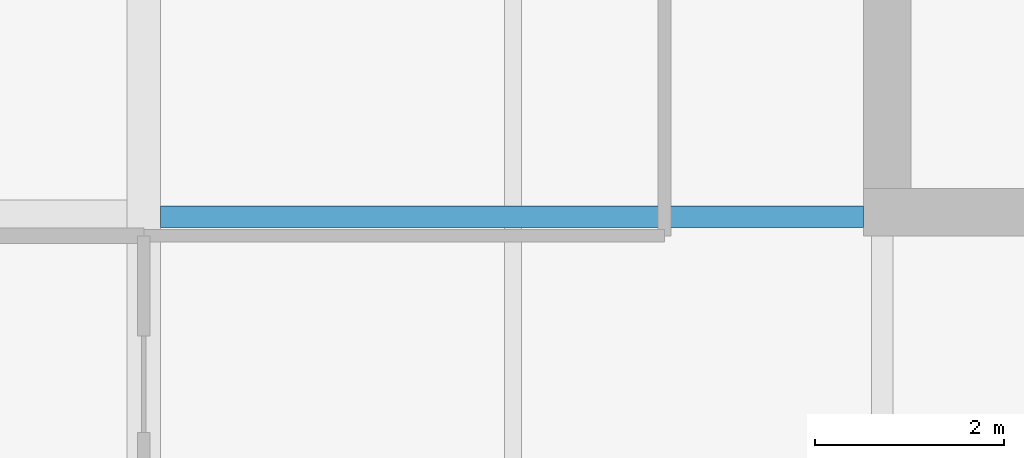
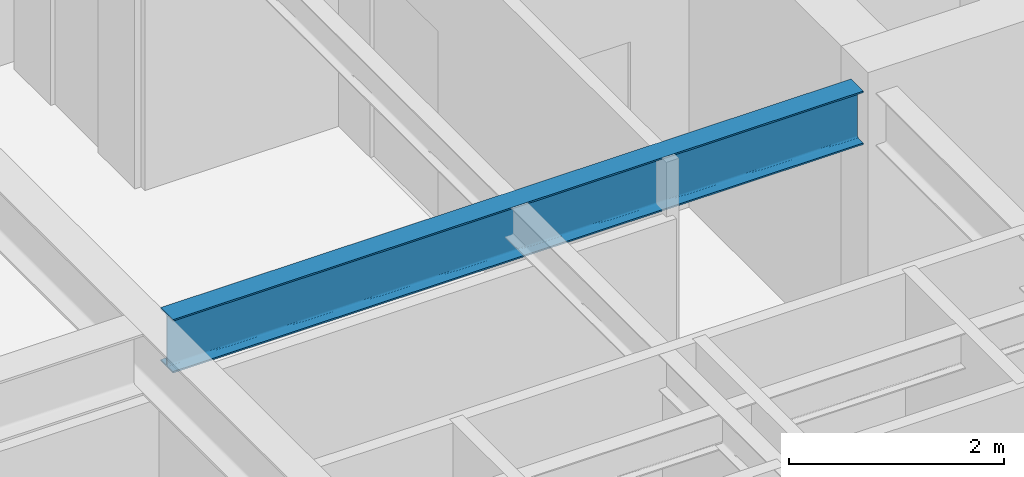
# One storey, part 8 of 32: 1 beam.
"""IFC4 building model written with IfcOpenShell, lengths in metres."""

import ifcopenshell
import ifcopenshell.guid

model = None  # the IFC model being written
_history = None  # IfcOwnerHistory: only IFC2X3 demands one
_inside = {}  # id of a spatial element -> (the spatial element, [elements in it])
_under = {}  # id of a project, library or spatial element -> (it, [spatial elements below it])
_declared = {}  # id of a project -> (the project, [libraries it declares])
_typed = {}  # id of a type object -> (the type object, [elements of that type])
_made_of = {}  # id of a material, layer set ... -> (it, [elements and type objects made of it])


def new_model(schema):
    """Start an empty IFC model of exactly this schema.

    Asked for "IFC4X3", IfcOpenShell would pick the latest addendum, in which some entities
    have other attributes; the version numbers below select the first issue.
    IFC2X3 requires an IfcOwnerHistory on every rooted entity: one is made here for all.
    """
    global model, _history
    if schema == "IFC4X3":
        model = ifcopenshell.file(schema_version=(4, 3, 0, 0))
    else:
        model = ifcopenshell.file(schema=schema)
    _inside.clear()
    _under.clear()
    _declared.clear()
    _typed.clear()
    _made_of.clear()
    _history = None
    if model.schema == "IFC2X3":
        org = make("IfcOrganization", Name="unknown")
        user = make(
            "IfcPersonAndOrganization",
            ThePerson=make("IfcPerson", FamilyName="unknown"),
            TheOrganization=org,
        )
        app = make(
            "IfcApplication",
            ApplicationDeveloper=org,
            Version="unknown",
            ApplicationFullName="unknown",
            ApplicationIdentifier="unknown",
        )
        _history = make(
            "IfcOwnerHistory",
            OwningUser=user,
            OwningApplication=app,
            ChangeAction="ADDED",
            CreationDate=0,
        )
    return model


def make(cls, **values):
    """One entity of the class cls with the attributes given. An attribute that is None is left unset."""
    return model.create_entity(
        cls, **{name: value for name, value in values.items() if value is not None}
    )


def rooted(cls, **values):
    """An entity with a GlobalId (a new one), such as an element, a storey or a relation."""
    return make(cls, GlobalId=ifcopenshell.guid.new(), OwnerHistory=_history, **values)


def si_unit(unit_type, name, prefix=None):
    """IfcSIUnit, for example si_unit("LENGTHUNIT", "METRE", prefix="MILLI")."""
    return make("IfcSIUnit", UnitType=unit_type, Prefix=prefix, Name=name)


def assignment(units):
    """IfcUnitAssignment: the units of a project."""
    return None if units is None else make("IfcUnitAssignment", Units=units)


def point(xyz):
    """IfcCartesianPoint."""
    return None if xyz is None else make("IfcCartesianPoint", Coordinates=xyz)


def direction(xyz):
    """IfcDirection."""
    return None if xyz is None else make("IfcDirection", DirectionRatios=xyz)


def frame(location, z_axis=None, x_axis=None):
    """IfcAxis2Placement3D, a coordinate frame: its origin and axes. An axis left out is left unset."""
    return make(
        "IfcAxis2Placement3D",
        Location=point(location),
        Axis=direction(z_axis),
        RefDirection=direction(x_axis),
    )


def frame_2d(location, x_axis=None):
    """IfcAxis2Placement2D, a coordinate frame in the plane: its origin and x axis."""
    return make(
        "IfcAxis2Placement2D", Location=point(location), RefDirection=direction(x_axis)
    )


def origin():
    """The frame at (0, 0, 0) with its axes left unset."""
    return frame((0.0, 0.0, 0.0))


def origin_2d():
    """The frame at (0, 0) in the plane with its x axis left unset."""
    return frame_2d((0.0, 0.0))


def place(relative_to, where):
    """IfcLocalPlacement: puts the frame where relative to a parent placement (None: the world)."""
    return make(
        "IfcLocalPlacement", PlacementRelTo=relative_to, RelativePlacement=where
    )


def context(
    kind, dimensions, precision=None, world=None, true_north=None, identifier=None
):
    """IfcGeometricRepresentationContext, for example the 3D "Model" context."""
    return make(
        "IfcGeometricRepresentationContext",
        ContextIdentifier=identifier,
        ContextType=kind,
        CoordinateSpaceDimension=dimensions,
        Precision=precision,
        WorldCoordinateSystem=world,
        TrueNorth=true_north,
    )


def subcontext(parent, identifier, kind, view, scale=None):
    """IfcGeometricRepresentationSubContext, for example "Body" below "Model"."""
    return make(
        "IfcGeometricRepresentationSubContext",
        ContextIdentifier=identifier,
        ContextType=kind,
        ParentContext=parent,
        TargetScale=scale,
        TargetView=view,
    )


def project(units=None, contexts=None):
    """IfcProject with its units and contexts."""
    return rooted(
        "IfcProject",
        Name="project",
        RepresentationContexts=contexts,
        UnitsInContext=assignment(units),
    )


def spatial(cls, under=None, at=None, **own):
    """A site, building, storey or space (cls), placed at a placement, below another one or the project."""
    s = rooted(cls, ObjectPlacement=at, **own)
    if under is not None:
        _under.setdefault(under.id(), (under, []))[1].append(s)
    return s


def profile(cls, at=None, kind="AREA", **sizes):
    """A parametric profile (cls). Its sizes go by their IFC names, for example OverallWidth=200.0."""
    return make(cls, ProfileType=kind, Position=at, **sizes)


def i_section(**sizes):
    """IfcIShapeProfileDef."""
    return profile("IfcIShapeProfileDef", **sizes)


def extrude(swept, where, along, depth):
    """IfcExtrudedAreaSolid: the profile swept, set in the frame where, extruded along a direction by depth."""
    return make(
        "IfcExtrudedAreaSolid",
        SweptArea=swept,
        Position=where,
        ExtrudedDirection=direction(along),
        Depth=depth,
    )


def shape(context_of_items, identifier, shape_type, items):
    """IfcShapeRepresentation: the items that make up one representation, for example the "Body"."""
    return make(
        "IfcShapeRepresentation",
        ContextOfItems=context_of_items,
        RepresentationIdentifier=identifier,
        RepresentationType=shape_type,
        Items=items,
    )


def material(Name=None, Category=None):
    """IfcMaterial."""
    return make("IfcMaterial", Name=Name, Category=Category)


def material_profile(
    of_material, cross_section, Name=None, Category=None, Priority=None
):
    """IfcMaterialProfile: a cross section and its material."""
    return make(
        "IfcMaterialProfile",
        Name=Name,
        Material=of_material,
        Profile=cross_section,
        Priority=Priority,
        Category=Category,
    )


def profile_set(profiles, Name=None, composite=None):
    """IfcMaterialProfileSet."""
    return make(
        "IfcMaterialProfileSet",
        Name=Name,
        MaterialProfiles=profiles,
        CompositeProfile=composite,
    )


def made_of(thing, what):
    """Note that an element or type object is made of a material, layer set ...; save() writes the relation."""
    if what is not None:
        _made_of.setdefault(what.id(), (what, []))[1].append(thing)
    return thing


def type_object(cls, material=None, **own):
    """A type object (cls), such as IfcWallType, which elements share."""
    return made_of(rooted(cls, **own), material)


def element(
    cls,
    number,
    at=None,
    inside=None,
    cuts=None,
    type_object=None,
    material=None,
    context=None,
    identifier="Body",
    shape_type=None,
    held_by="IfcProductDefinitionShape",
    body=None,
    shapes=None,
    **own,
):
    """One element of the class cls, such as IfcWall. Its Tag is "e" and its number.

    at: its placement. inside: the storey or other place that contains it. cuts: it is an
    opening in that element (IfcRelVoidsElement). A single representation is given by context,
    identifier, shape_type and body (its items); several are given by shapes. held_by: the class
    of the entity that holds the representations. save() writes the other relations.
    """
    e = rooted(cls, Tag="e%d" % number, ObjectPlacement=at, **own)
    if body is not None:
        shapes = [shape(context, identifier, shape_type, body)]
    if shapes is not None:
        e.Representation = make(held_by, Representations=shapes)
    if inside is not None:
        _inside.setdefault(inside.id(), (inside, []))[1].append(e)
    if cuts is not None:
        rooted(
            "IfcRelVoidsElement", RelatingBuildingElement=cuts, RelatedOpeningElement=e
        )
    if type_object is not None:
        _typed.setdefault(type_object.id(), (type_object, []))[1].append(e)
    return made_of(e, material)


def aggregate(whole, parts):
    """IfcRelAggregates: a whole, such as a stair, and the parts it consists of."""
    return rooted("IfcRelAggregates", RelatingObject=whole, RelatedObjects=parts)


def save(model, path):
    """Write the relations noted so far, then the file.

    IfcRelAggregates (storeys below a building ...), IfcRelContainedInSpatialStructure (elements
    in a storey), IfcRelDefinesByType, IfcRelAssociatesMaterial and IfcRelDeclares: one each for
    every whole, place, type object, material and project.
    """
    for whole, parts in _under.values():
        aggregate(whole, parts)
    for where, things in _inside.values():
        rooted(
            "IfcRelContainedInSpatialStructure",
            RelatedElements=things,
            RelatingStructure=where,
        )
    for kind, things in _typed.values():
        rooted("IfcRelDefinesByType", RelatedObjects=things, RelatingType=kind)
    for what, things in _made_of.values():
        rooted("IfcRelAssociatesMaterial", RelatedObjects=things, RelatingMaterial=what)
    for by, libraries in _declared.values():
        rooted("IfcRelDeclares", RelatingContext=by, RelatedDefinitions=libraries)
    model.write(path)


model = new_model("IFC4")

# Units and contexts
model_context = context("Model", 3, precision=1e-05, world=origin(), true_north=direction((0.0, 1.0)))
body_context = subcontext(model_context, "Body", "Model", "MODEL_VIEW")
ifc_project = project(units=[si_unit("LENGTHUNIT", "METRE"), si_unit("AREAUNIT", "SQUARE_METRE"), si_unit("VOLUMEUNIT", "CUBIC_METRE"), si_unit("PLANEANGLEUNIT", "RADIAN"), si_unit("MASSUNIT", "GRAM", prefix="KILO")], contexts=[model_context])

# Site, building, storey
site_placement = place(None, origin())
site = spatial("IfcSite", under=ifc_project, at=site_placement, CompositionType="ELEMENT")
building_placement = place(site_placement, origin())
building = spatial("IfcBuilding", under=site, at=building_placement, Name="Drelvath Grand Hotel", CompositionType="ELEMENT")
storey_placement = place(building_placement, frame((0.0, 0.0, 193.0)))
storey = spatial("IfcBuildingStorey", under=building, at=storey_placement, Name="L50", CompositionType="ELEMENT", Elevation=193.0)

# Beam
ifc_material = material(Name="Steel ASTM A992 Gr 50", Category="steel")
ifc_material_profile = material_profile(ifc_material, i_section(OverallWidth=0.228271484375, OverallDepth=0.607666015625, WebThickness=0.01123046875, FlangeThickness=0.017333984375, FilletRadius=0.02001953125, at=origin_2d()), Name="W24X76")
ifc_profile_set = profile_set([ifc_material_profile], Name="Steel ASTM A992 Gr 50")
beam_type = type_object("IfcBeamType", Name="Primary Floor Girder W24X76", PredefinedType="BEAM", material=ifc_profile_set)
beam_placement = place(storey_placement, frame((-16.022705078125, 18.60009765625, 2.986083984375), z_axis=(1.0, 0.0, 0.0), x_axis=(0.0, 1.0, 0.0)))
element("IfcBeam", 1, at=beam_placement, inside=storey, type_object=beam_type, Name="L50 West Core Tie D", PredefinedType="BEAM", context=body_context, shape_type="SweptSolid", body=[
    extrude(i_section(OverallWidth=0.228271484375, OverallDepth=0.607666015625, WebThickness=0.01123046875, FlangeThickness=0.017333984375, FilletRadius=0.02001953125, at=origin_2d()), origin(), (0.0, 0.0, 1.0), 7.422607421875),
])

save(model, "model.ifc")
